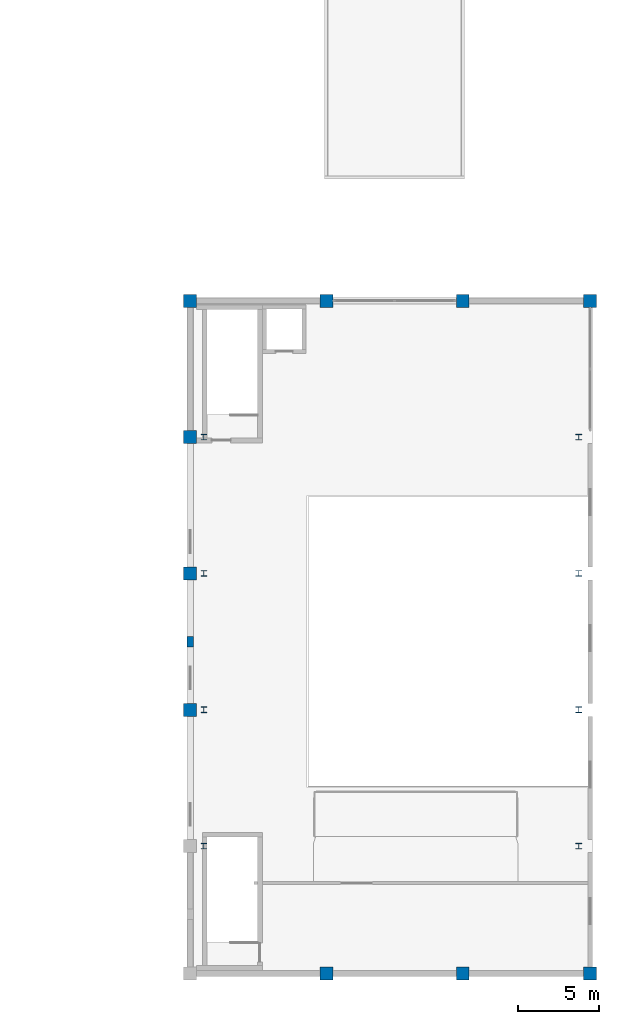
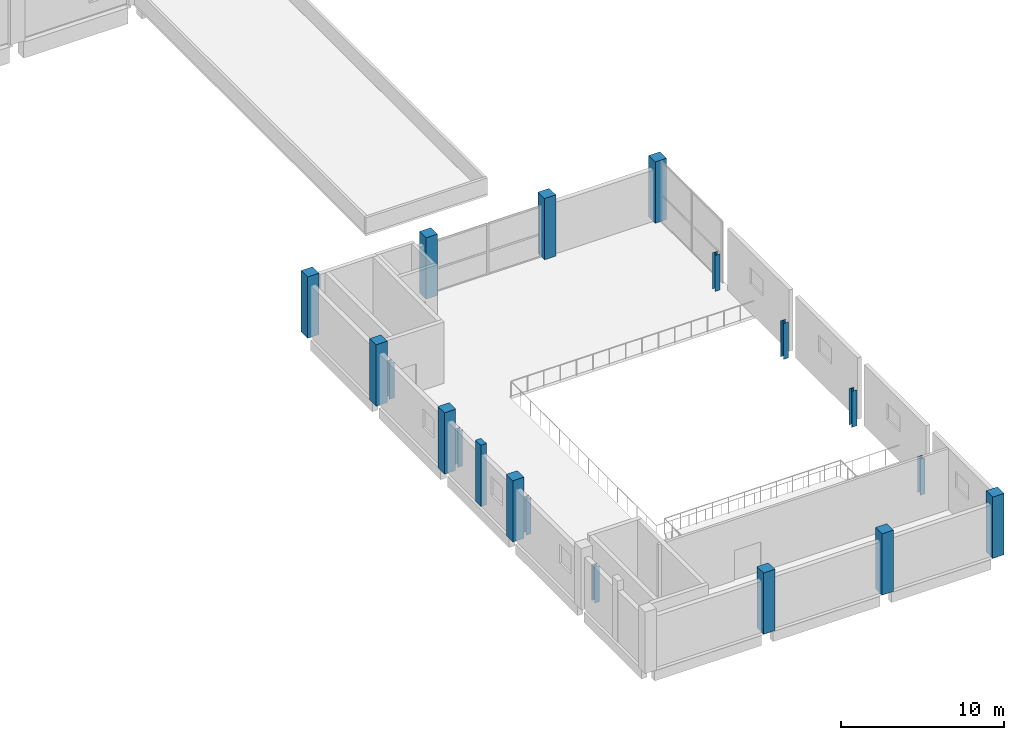
# One storey, part 2 of 31: 19 columns.
"""IFC4 building model written with IfcOpenShell, lengths in metres."""

from ifc_helpers import new_model, si_unit, direction, frame, origin, origin_2d, place, context, subcontext, project, spatial, rectangle, i_section, extrude, material, material_profile, profile_set, type_object, element, save


model = new_model("IFC4")

# Units and contexts
model_context = context("Model", 3, precision=1e-05, world=origin(), true_north=direction((0.0, 1.0)))
body_context = subcontext(model_context, "Body", "Model", "MODEL_VIEW")
ifc_project = project(units=[si_unit("LENGTHUNIT", "METRE"), si_unit("AREAUNIT", "SQUARE_METRE"), si_unit("VOLUMEUNIT", "CUBIC_METRE"), si_unit("PLANEANGLEUNIT", "RADIAN"), si_unit("MASSUNIT", "GRAM", prefix="KILO")], contexts=[model_context])

# Site, building, storey
site_placement = place(None, origin())
site = spatial("IfcSite", under=ifc_project, at=site_placement, CompositionType="ELEMENT")
building_placement = place(site_placement, origin())
building = spatial("IfcBuilding", under=site, at=building_placement, Name="Brinegate Botanical Conservatory", CompositionType="ELEMENT")
storey_placement = place(building_placement, frame((0.0, 0.0, 5.39990234375)))
storey = spatial("IfcBuildingStorey", under=building, at=storey_placement, Name="L02", CompositionType="ELEMENT", Elevation=5.39990234375)

# Columns
ifc_material_1 = material(Name="Structural steel Q355B / S355", Category="steel")
ifc_material_profile_1 = material_profile(ifc_material_1, i_section(OverallWidth=0.35009765625, OverallDepth=0.35009765625, WebThickness=0.011962890625, FlangeThickness=0.01904296875, at=origin_2d()), Name="HW 350x350x12x19")
ifc_profile_set_1 = profile_set([ifc_material_profile_1], Name="Structural steel Q355B / S355")
column_type_1 = type_object("IfcColumnType", Name="Col_C-S1", PredefinedType="COLUMN", material=ifc_profile_set_1)
for number, where, z_axis, x_axis, name in (
    (1, (139.64990234375, 8.39990234375, 0.0), (0.0, 0.0, 1.0), (1.0, 0.0, 0.0), "Auditorium truss bearing column W1 L02"),
    (2, (139.64990234375, 16.800048828125, 0.0), (0.0, 0.0, 1.0), (1.0, 0.0, 0.0), "Auditorium truss bearing column W2 L02"),
    (3, (139.64990234375, 25.199951171875, 0.0), (0.0, 0.0, 1.0), (1.0, 0.0, 0.0), "Auditorium truss bearing column W3 L02"),
    (4, (139.64990234375, 33.60009765625, 0.0), (0.0, 0.0, 1.0), (1.0, 0.0, 0.0), "Auditorium truss bearing column W4 L02"),
    (5, (162.75, 8.39990234375, 0.0), (0.0, 0.0, 1.0), (1.0, 0.0, 0.0), "Auditorium truss bearing column E1 L02"),
    (6, (162.75, 16.800048828125, 0.0), (0.0, 0.0, 1.0), (1.0, 0.0, 0.0), "Auditorium truss bearing column E2 L02"),
    (7, (162.75, 25.199951171875, 0.0), (0.0, 0.0, 1.0), (1.0, 0.0, 0.0), "Auditorium truss bearing column E3 L02"),
    (8, (162.75, 33.60009765625, 0.0), (0.0, 0.0, 1.0), (1.0, 0.0, 0.0), "Auditorium truss bearing column E4 L02"),
):
    element("IfcColumn", number, at=place(storey_placement, frame(where, z_axis=z_axis, x_axis=x_axis)), inside=storey, type_object=column_type_1, Name=name, PredefinedType="COLUMN", context=body_context, shape_type="SweptSolid", body=[
        extrude(i_section(OverallWidth=0.35009765625, OverallDepth=0.35009765625, WebThickness=0.011962890625, FlangeThickness=0.01904296875, at=origin_2d()), origin(), (0.0, 0.0, 1.0), 2.7001953125),
    ])
ifc_material_2 = material(Name="Concrete C40/50", Category="concrete")
ifc_material_profile_2 = material_profile(ifc_material_2, rectangle(XDim=0.800048828125, YDim=0.800048828125, at=origin_2d()), Name="RC COL 800x800")
ifc_profile_set_2 = profile_set([ifc_material_profile_2], Name="Concrete C40/50")
column_type_2 = type_object("IfcColumnType", Name="Col_C-W1", PredefinedType="COLUMN", material=ifc_profile_set_2)
for number, where, z_axis, x_axis, name in (
    (9, (138.800048828125, 16.800048828125, 0.0), (0.0, 0.0, 1.0), (1.0, 0.0, 0.0), "Column C-W1 L02 C-18"),
    (10, (138.800048828125, 25.199951171875, 0.0), (0.0, 0.0, 1.0), (1.0, 0.0, 0.0), "Column C-W1 L02 D-18"),
    (11, (138.800048828125, 33.60009765625, 0.0), (0.0, 0.0, 1.0), (1.0, 0.0, 0.0), "Column C-W1 L02 E-18"),
    (12, (138.800048828125, 42.0, 0.0), (0.0, 0.0, 1.0), (1.0, 0.0, 0.0), "Column C-W1 L02 F-18"),
    (13, (147.199951171875, 0.550048828125, 0.0), (0.0, 0.0, 1.0), (1.0, 0.0, 0.0), "Column C-W1 L02 A-19"),
    (14, (147.199951171875, 42.0, 0.0), (0.0, 0.0, 1.0), (1.0, 0.0, 0.0), "Column C-W1 L02 F-19"),
    (15, (155.60009765625, 0.550048828125, 0.0), (0.0, 0.0, 1.0), (1.0, 0.0, 0.0), "Column C-W1 L02 A-20"),
    (16, (155.60009765625, 42.0, 0.0), (0.0, 0.0, 1.0), (1.0, 0.0, 0.0), "Column C-W1 L02 F-20"),
    (17, (163.449951171875, 0.550048828125, 0.0), (0.0, 0.0, 1.0), (1.0, 0.0, 0.0), "Column C-W1 L02 A-21"),
    (18, (163.449951171875, 42.0, 0.0), (0.0, 0.0, 1.0), (1.0, 0.0, 0.0), "Column C-W1 L02 F-21"),
):
    element("IfcColumn", number, at=place(storey_placement, frame(where, z_axis=z_axis, x_axis=x_axis)), inside=storey, type_object=column_type_2, Name=name, PredefinedType="COLUMN", context=body_context, shape_type="SweptSolid", body=[
        extrude(rectangle(XDim=0.800048828125, YDim=0.800048828125, at=origin_2d()), origin(), (0.0, 0.0, 1.0), 4.60009765625),
    ])
ifc_material_profile_3 = material_profile(ifc_material_2, rectangle(XDim=0.39990234375, YDim=0.64990234375, at=origin_2d()), Name="RC PILASTER 400x650")
ifc_profile_set_3 = profile_set([ifc_material_profile_3], Name="Concrete C40/50")
column_type_3 = type_object("IfcColumnType", Name="Col_PL-W2", PredefinedType="PILASTER", material=ifc_profile_set_3)
column_placement = place(storey_placement, frame((138.800048828125, 21.0, 0.0), z_axis=(0.0, 0.0, 1.0), x_axis=(1.0, 0.0, 0.0)))
element("IfcColumn", 19, at=column_placement, inside=storey, type_object=column_type_3, Name="Warehouse pilaster PL-W2 L02 PL-W-V2B", PredefinedType="PILASTER", context=body_context, shape_type="SweptSolid", body=[
    extrude(rectangle(XDim=0.39990234375, YDim=0.64990234375, at=origin_2d()), origin(), (0.0, 0.0, 1.0), 4.60009765625),
])

save(model, "model.ifc")
